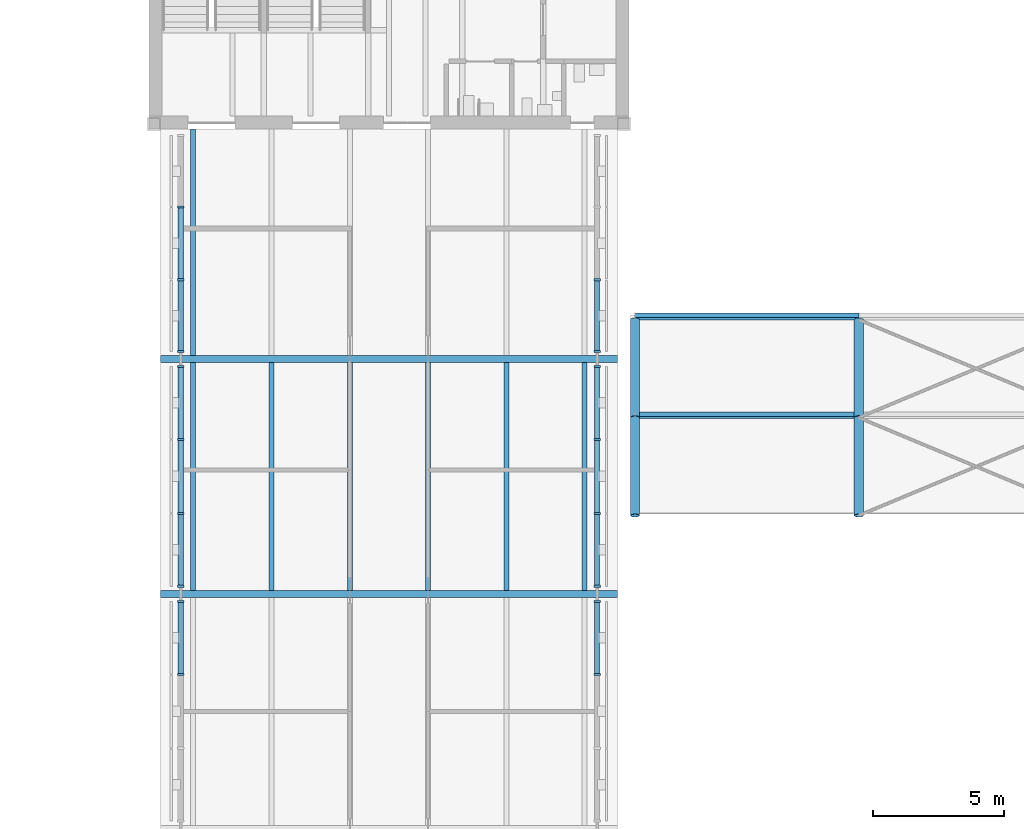
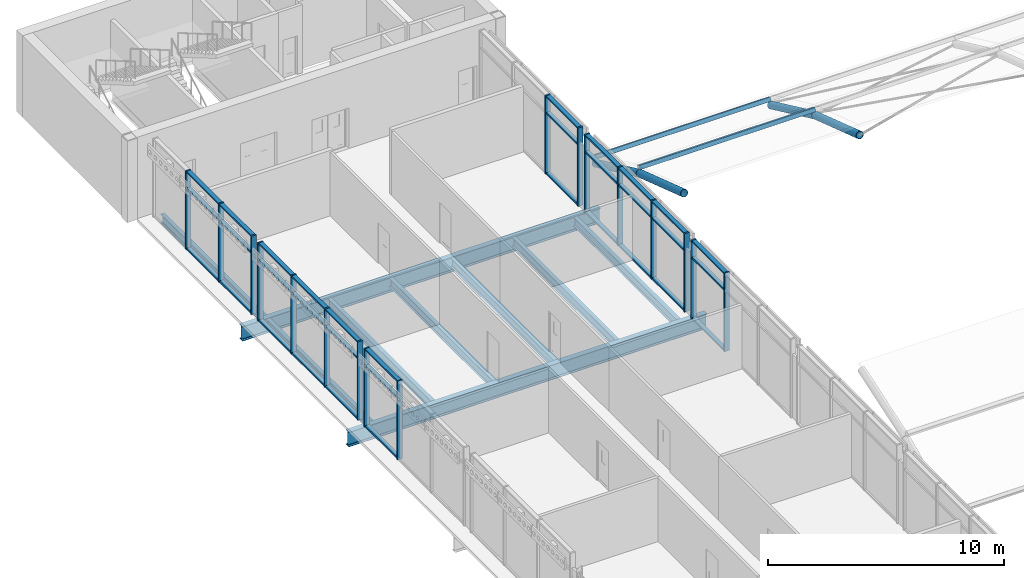
# One storey, part 6 of 54: 56 members, 9 beams, 6 elements without a shape of their own.
"""IFC4 building model written with IfcOpenShell, lengths in metres."""

from ifc_helpers import new_model, si_unit, direction, frame, origin, origin_2d, place, context, subcontext, project, spatial, rectangle, hollow_rectangle, hollow_circle, i_section, extrude, material, material_profile, profile_set, type_object, element, aggregate, save


model = new_model("IFC4")

# Units and contexts
model_context = context("Model", 3, precision=1e-05, world=origin(), true_north=direction((0.0, 1.0)))
body_context = subcontext(model_context, "Body", "Model", "MODEL_VIEW")
ifc_project = project(units=[si_unit("LENGTHUNIT", "METRE"), si_unit("AREAUNIT", "SQUARE_METRE"), si_unit("VOLUMEUNIT", "CUBIC_METRE"), si_unit("PLANEANGLEUNIT", "RADIAN"), si_unit("MASSUNIT", "GRAM", prefix="KILO")], contexts=[model_context])

# Site, building, storey
site_placement = place(None, origin())
site = spatial("IfcSite", under=ifc_project, at=site_placement, CompositionType="ELEMENT")
building_placement = place(site_placement, origin())
building = spatial("IfcBuilding", under=site, at=building_placement, Name="Baradari Gate Terminus", CompositionType="ELEMENT")
storey_placement = place(building_placement, frame((0.0, 0.0, 15.89990234375)))
storey = spatial("IfcBuildingStorey", under=building, at=storey_placement, Name="L03", CompositionType="ELEMENT", Elevation=15.89990234375)

# Curtain wall, members
ifc_material_1 = material(Name="Aluminium 6063-T6", Category="aluminium")
curtain_wall_type = type_object("IfcCurtainWallType", Name="Curtain wall CW-3 gate face, office floors", PredefinedType="NOTDEFINED", material=ifc_material_1)
curtain_wall_1_placement = place(storey_placement, origin())
curtain_wall_1 = element("IfcCurtainWall", 1, at=curtain_wall_1_placement, inside=storey, type_object=curtain_wall_type, Name="Curtain wall CW-3 gate west face L03 bay 3", PredefinedType="NOTDEFINED")
ifc_material_2 = material(Name="Aluminium 6063-T6", Category="aluminium")
ifc_material_profile_1 = material_profile(ifc_material_2, rectangle(XDim=0.25, YDim=0.080078125, at=origin_2d()), Name="CM-3 80X250")
ifc_profile_set_1 = profile_set([ifc_material_profile_1], Name="Aluminium 6063-T6")
member_type_1 = type_object("IfcMemberType", Name="Curtain wall mullion CM-3 80x250", PredefinedType="MULLION", material=ifc_profile_set_1)
member_1_placement = place(storey_placement, frame((73.02490234375, 59.916748046875, 0.0), z_axis=(0.0, 0.0, 1.0), x_axis=(-1.0, 0.0, 0.0)))
member_1 = element("IfcMember", 2, at=member_1_placement, type_object=member_type_1, Name="CW-3 mullion 3", PredefinedType="MULLION", context=body_context, shape_type="SweptSolid", body=[
    extrude(rectangle(XDim=0.25, YDim=0.080078125, at=origin_2d()), origin(), (0.0, 0.0, 1.0), 4.050048828125),
])
member_2_placement = place(storey_placement, frame((73.02490234375, 62.7099609375, 0.0), z_axis=(0.0, 0.0, 1.0), x_axis=(-1.0, 0.0, 0.0)))
member_2 = element("IfcMember", 3, at=member_2_placement, type_object=member_type_1, Name="CW-3 mullion 4", PredefinedType="MULLION", context=body_context, shape_type="SweptSolid", body=[
    extrude(rectangle(XDim=0.25, YDim=0.080078125, at=origin_2d()), origin(), (0.0, 0.0, 1.0), 4.050048828125),
])

curtain_wall_2_placement = place(storey_placement, origin())
curtain_wall_2 = element("IfcCurtainWall", 4, at=curtain_wall_2_placement, inside=storey, type_object=curtain_wall_type, Name="Curtain wall CW-3 gate west face L03 bay 4", PredefinedType="NOTDEFINED")
member_3_placement = place(storey_placement, frame((73.02490234375, 63.2900390625, 0.0), z_axis=(0.0, 0.0, 1.0), x_axis=(-1.0, 0.0, 0.0)))
member_3 = element("IfcMember", 5, at=member_3_placement, type_object=member_type_1, Name="CW-3 mullion 1", PredefinedType="MULLION", context=body_context, shape_type="SweptSolid", body=[
    extrude(rectangle(XDim=0.25, YDim=0.080078125, at=origin_2d()), origin(), (0.0, 0.0, 1.0), 4.050048828125),
])
member_4_placement = place(storey_placement, frame((73.02490234375, 66.083251953125, 0.0), z_axis=(0.0, 0.0, 1.0), x_axis=(-1.0, 0.0, 0.0)))
member_4 = element("IfcMember", 6, at=member_4_placement, type_object=member_type_1, Name="CW-3 mullion 2", PredefinedType="MULLION", context=body_context, shape_type="SweptSolid", body=[
    extrude(rectangle(XDim=0.25, YDim=0.080078125, at=origin_2d()), origin(), (0.0, 0.0, 1.0), 4.050048828125),
])
member_5_placement = place(storey_placement, frame((73.02490234375, 68.916748046875, 0.0), z_axis=(0.0, 0.0, 1.0), x_axis=(-1.0, 0.0, 0.0)))
member_5 = element("IfcMember", 7, at=member_5_placement, type_object=member_type_1, Name="CW-3 mullion 3", PredefinedType="MULLION", context=body_context, shape_type="SweptSolid", body=[
    extrude(rectangle(XDim=0.25, YDim=0.080078125, at=origin_2d()), origin(), (0.0, 0.0, 1.0), 4.050048828125),
])
member_6_placement = place(storey_placement, frame((73.02490234375, 71.7099609375, 0.0), z_axis=(0.0, 0.0, 1.0), x_axis=(-1.0, 0.0, 0.0)))
member_6 = element("IfcMember", 8, at=member_6_placement, type_object=member_type_1, Name="CW-3 mullion 4", PredefinedType="MULLION", context=body_context, shape_type="SweptSolid", body=[
    extrude(rectangle(XDim=0.25, YDim=0.080078125, at=origin_2d()), origin(), (0.0, 0.0, 1.0), 4.050048828125),
])

curtain_wall_3_placement = place(storey_placement, origin())
curtain_wall_3 = element("IfcCurtainWall", 9, at=curtain_wall_3_placement, inside=storey, type_object=curtain_wall_type, Name="Curtain wall CW-3 gate west face L03 bay 5", PredefinedType="NOTDEFINED")
member_7_placement = place(storey_placement, frame((73.02490234375, 72.2900390625, 0.0), z_axis=(0.0, 0.0, 1.0), x_axis=(-1.0, 0.0, 0.0)))
member_7 = element("IfcMember", 10, at=member_7_placement, type_object=member_type_1, Name="CW-3 mullion 1", PredefinedType="MULLION", context=body_context, shape_type="SweptSolid", body=[
    extrude(rectangle(XDim=0.25, YDim=0.080078125, at=origin_2d()), origin(), (0.0, 0.0, 1.0), 4.050048828125),
])
member_8_placement = place(storey_placement, frame((73.02490234375, 75.033447265625, 0.0), z_axis=(0.0, 0.0, 1.0), x_axis=(-1.0, 0.0, 0.0)))
member_8 = element("IfcMember", 11, at=member_8_placement, type_object=member_type_1, Name="CW-3 mullion 2", PredefinedType="MULLION", context=body_context, shape_type="SweptSolid", body=[
    extrude(rectangle(XDim=0.25, YDim=0.080078125, at=origin_2d()), origin(), (0.0, 0.0, 1.0), 4.050048828125),
])
member_9_placement = place(storey_placement, frame((73.02490234375, 77.816650390625, 0.0), z_axis=(0.0, 0.0, 1.0), x_axis=(-1.0, 0.0, 0.0)))
member_9 = element("IfcMember", 12, at=member_9_placement, type_object=member_type_1, Name="CW-3 mullion 3", PredefinedType="MULLION", context=body_context, shape_type="SweptSolid", body=[
    extrude(rectangle(XDim=0.25, YDim=0.080078125, at=origin_2d()), origin(), (0.0, 0.0, 1.0), 4.050048828125),
])

curtain_wall_4_placement = place(storey_placement, origin())
curtain_wall_4 = element("IfcCurtainWall", 13, at=curtain_wall_4_placement, inside=storey, type_object=curtain_wall_type, Name="Curtain wall CW-3 gate east face L03 bay 3", PredefinedType="NOTDEFINED")
member_10_placement = place(storey_placement, frame((88.97509765625, 59.916748046875, 0.0), z_axis=(0.0, 0.0, 1.0), x_axis=(-1.0, 0.0, 0.0)))
member_10 = element("IfcMember", 14, at=member_10_placement, type_object=member_type_1, Name="CW-3 mullion 3", PredefinedType="MULLION", context=body_context, shape_type="SweptSolid", body=[
    extrude(rectangle(XDim=0.25, YDim=0.080078125, at=origin_2d()), origin(), (0.0, 0.0, 1.0), 4.050048828125),
])
member_11_placement = place(storey_placement, frame((88.97509765625, 62.7099609375, 0.0), z_axis=(0.0, 0.0, 1.0), x_axis=(-1.0, 0.0, 0.0)))
member_11 = element("IfcMember", 15, at=member_11_placement, type_object=member_type_1, Name="CW-3 mullion 4", PredefinedType="MULLION", context=body_context, shape_type="SweptSolid", body=[
    extrude(rectangle(XDim=0.25, YDim=0.080078125, at=origin_2d()), origin(), (0.0, 0.0, 1.0), 4.050048828125),
])

curtain_wall_5_placement = place(storey_placement, origin())
curtain_wall_5 = element("IfcCurtainWall", 16, at=curtain_wall_5_placement, inside=storey, type_object=curtain_wall_type, Name="Curtain wall CW-3 gate east face L03 bay 4", PredefinedType="NOTDEFINED")
member_12_placement = place(storey_placement, frame((88.97509765625, 63.2900390625, 0.0), z_axis=(0.0, 0.0, 1.0), x_axis=(-1.0, 0.0, 0.0)))
member_12 = element("IfcMember", 17, at=member_12_placement, type_object=member_type_1, Name="CW-3 mullion 1", PredefinedType="MULLION", context=body_context, shape_type="SweptSolid", body=[
    extrude(rectangle(XDim=0.25, YDim=0.080078125, at=origin_2d()), origin(), (0.0, 0.0, 1.0), 4.050048828125),
])
member_13_placement = place(storey_placement, frame((88.97509765625, 66.083251953125, 0.0), z_axis=(0.0, 0.0, 1.0), x_axis=(-1.0, 0.0, 0.0)))
member_13 = element("IfcMember", 18, at=member_13_placement, type_object=member_type_1, Name="CW-3 mullion 2", PredefinedType="MULLION", context=body_context, shape_type="SweptSolid", body=[
    extrude(rectangle(XDim=0.25, YDim=0.080078125, at=origin_2d()), origin(), (0.0, 0.0, 1.0), 4.050048828125),
])
member_14_placement = place(storey_placement, frame((88.97509765625, 68.916748046875, 0.0), z_axis=(0.0, 0.0, 1.0), x_axis=(-1.0, 0.0, 0.0)))
member_14 = element("IfcMember", 19, at=member_14_placement, type_object=member_type_1, Name="CW-3 mullion 3", PredefinedType="MULLION", context=body_context, shape_type="SweptSolid", body=[
    extrude(rectangle(XDim=0.25, YDim=0.080078125, at=origin_2d()), origin(), (0.0, 0.0, 1.0), 4.050048828125),
])
member_15_placement = place(storey_placement, frame((88.97509765625, 71.7099609375, 0.0), z_axis=(0.0, 0.0, 1.0), x_axis=(-1.0, 0.0, 0.0)))
member_15 = element("IfcMember", 20, at=member_15_placement, type_object=member_type_1, Name="CW-3 mullion 4", PredefinedType="MULLION", context=body_context, shape_type="SweptSolid", body=[
    extrude(rectangle(XDim=0.25, YDim=0.080078125, at=origin_2d()), origin(), (0.0, 0.0, 1.0), 4.050048828125),
])

curtain_wall_6_placement = place(storey_placement, origin())
curtain_wall_6 = element("IfcCurtainWall", 21, at=curtain_wall_6_placement, inside=storey, type_object=curtain_wall_type, Name="Curtain wall CW-3 gate east face L03 bay 5", PredefinedType="NOTDEFINED")
member_16_placement = place(storey_placement, frame((88.97509765625, 72.2900390625, 0.0), z_axis=(0.0, 0.0, 1.0), x_axis=(-1.0, 0.0, 0.0)))
member_16 = element("IfcMember", 22, at=member_16_placement, type_object=member_type_1, Name="CW-3 mullion 1", PredefinedType="MULLION", context=body_context, shape_type="SweptSolid", body=[
    extrude(rectangle(XDim=0.25, YDim=0.080078125, at=origin_2d()), origin(), (0.0, 0.0, 1.0), 4.050048828125),
])
member_17_placement = place(storey_placement, frame((88.97509765625, 75.033447265625, 0.0), z_axis=(0.0, 0.0, 1.0), x_axis=(-1.0, 0.0, 0.0)))
member_17 = element("IfcMember", 23, at=member_17_placement, type_object=member_type_1, Name="CW-3 mullion 2", PredefinedType="MULLION", context=body_context, shape_type="SweptSolid", body=[
    extrude(rectangle(XDim=0.25, YDim=0.080078125, at=origin_2d()), origin(), (0.0, 0.0, 1.0), 4.050048828125),
])

# Member
ifc_material_3 = material(Name="Aluminium 6063-T6", Category="aluminium")
ifc_material_profile_2 = material_profile(ifc_material_3, rectangle(XDim=0.199951171875, YDim=0.080078125, at=origin_2d()), Name="CT-3 80X200")
ifc_profile_set_2 = profile_set([ifc_material_profile_2], Name="Aluminium 6063-T6")
member_type_2 = type_object("IfcMemberType", Name="Curtain wall transom CT-3 80x200", PredefinedType="USERDEFINED", material=ifc_profile_set_2)
member_18_placement = place(storey_placement, frame((73.02490234375, 59.956787109375, 0.0400390625), z_axis=(0.0, 1.0, 0.0), x_axis=(-1.0, 0.0, 0.0)))
member_18 = element("IfcMember", 24, at=member_18_placement, type_object=member_type_2, Name="CW-3 transom 3.1", ObjectType="TRANSOM", PredefinedType="USERDEFINED", context=body_context, shape_type="SweptSolid", body=[
    extrude(rectangle(XDim=0.199951171875, YDim=0.080078125, at=origin_2d()), origin(), (0.0, 0.0, 1.0), 2.713134765625),
])

member_19_placement = place(storey_placement, frame((73.02490234375, 59.956787109375, 3.150146484375), z_axis=(0.0, 1.0, 0.0), x_axis=(-1.0, 0.0, 0.0)))
member_19 = element("IfcMember", 25, at=member_19_placement, type_object=member_type_2, Name="CW-3 transom 3.2", ObjectType="TRANSOM", PredefinedType="USERDEFINED", context=body_context, shape_type="SweptSolid", body=[
    extrude(rectangle(XDim=0.199951171875, YDim=0.080078125, at=origin_2d()), origin(), (0.0, 0.0, 1.0), 2.713134765625),
])

member_20_placement = place(storey_placement, frame((73.02490234375, 59.956787109375, 4.010009765625), z_axis=(0.0, 1.0, 0.0), x_axis=(-1.0, 0.0, 0.0)))
member_20 = element("IfcMember", 26, at=member_20_placement, type_object=member_type_2, Name="CW-3 transom 3.3", ObjectType="TRANSOM", PredefinedType="USERDEFINED", context=body_context, shape_type="SweptSolid", body=[
    extrude(rectangle(XDim=0.199951171875, YDim=0.080078125, at=origin_2d()), origin(), (0.0, 0.0, 1.0), 2.713134765625),
])

aggregate(curtain_wall_1, [member_1, member_2, member_18, member_19, member_20])

member_21_placement = place(storey_placement, frame((73.02490234375, 63.330078125, 0.0400390625), z_axis=(0.0, 1.0, 0.0), x_axis=(-1.0, 0.0, 0.0)))
member_21 = element("IfcMember", 27, at=member_21_placement, type_object=member_type_2, Name="CW-3 transom 1.1", ObjectType="TRANSOM", PredefinedType="USERDEFINED", context=body_context, shape_type="SweptSolid", body=[
    extrude(rectangle(XDim=0.199951171875, YDim=0.080078125, at=origin_2d()), origin(), (0.0, 0.0, 1.0), 2.713134765625),
])

member_22_placement = place(storey_placement, frame((73.02490234375, 63.330078125, 3.150146484375), z_axis=(0.0, 1.0, 0.0), x_axis=(-1.0, 0.0, 0.0)))
member_22 = element("IfcMember", 28, at=member_22_placement, type_object=member_type_2, Name="CW-3 transom 1.2", ObjectType="TRANSOM", PredefinedType="USERDEFINED", context=body_context, shape_type="SweptSolid", body=[
    extrude(rectangle(XDim=0.199951171875, YDim=0.080078125, at=origin_2d()), origin(), (0.0, 0.0, 1.0), 2.713134765625),
])

member_23_placement = place(storey_placement, frame((73.02490234375, 63.330078125, 4.010009765625), z_axis=(0.0, 1.0, 0.0), x_axis=(-1.0, 0.0, 0.0)))
member_23 = element("IfcMember", 29, at=member_23_placement, type_object=member_type_2, Name="CW-3 transom 1.3", ObjectType="TRANSOM", PredefinedType="USERDEFINED", context=body_context, shape_type="SweptSolid", body=[
    extrude(rectangle(XDim=0.199951171875, YDim=0.080078125, at=origin_2d()), origin(), (0.0, 0.0, 1.0), 2.713134765625),
])

member_24_placement = place(storey_placement, frame((73.02490234375, 66.123291015625, 0.0400390625), z_axis=(0.0, 1.0, 0.0), x_axis=(-1.0, 0.0, 0.0)))
member_24 = element("IfcMember", 30, at=member_24_placement, type_object=member_type_2, Name="CW-3 transom 2.1", ObjectType="TRANSOM", PredefinedType="USERDEFINED", context=body_context, shape_type="SweptSolid", body=[
    extrude(rectangle(XDim=0.199951171875, YDim=0.080078125, at=origin_2d()), origin(), (0.0, 0.0, 1.0), 2.75341796875),
])

member_25_placement = place(storey_placement, frame((73.02490234375, 66.123291015625, 3.150146484375), z_axis=(0.0, 1.0, 0.0), x_axis=(-1.0, 0.0, 0.0)))
member_25 = element("IfcMember", 31, at=member_25_placement, type_object=member_type_2, Name="CW-3 transom 2.2", ObjectType="TRANSOM", PredefinedType="USERDEFINED", context=body_context, shape_type="SweptSolid", body=[
    extrude(rectangle(XDim=0.199951171875, YDim=0.080078125, at=origin_2d()), origin(), (0.0, 0.0, 1.0), 2.75341796875),
])

member_26_placement = place(storey_placement, frame((73.02490234375, 66.123291015625, 4.010009765625), z_axis=(0.0, 1.0, 0.0), x_axis=(-1.0, 0.0, 0.0)))
member_26 = element("IfcMember", 32, at=member_26_placement, type_object=member_type_2, Name="CW-3 transom 2.3", ObjectType="TRANSOM", PredefinedType="USERDEFINED", context=body_context, shape_type="SweptSolid", body=[
    extrude(rectangle(XDim=0.199951171875, YDim=0.080078125, at=origin_2d()), origin(), (0.0, 0.0, 1.0), 2.75341796875),
])

member_27_placement = place(storey_placement, frame((73.02490234375, 68.956787109375, 0.0400390625), z_axis=(0.0, 1.0, 0.0), x_axis=(-1.0, 0.0, 0.0)))
member_27 = element("IfcMember", 33, at=member_27_placement, type_object=member_type_2, Name="CW-3 transom 3.1", ObjectType="TRANSOM", PredefinedType="USERDEFINED", context=body_context, shape_type="SweptSolid", body=[
    extrude(rectangle(XDim=0.199951171875, YDim=0.080078125, at=origin_2d()), origin(), (0.0, 0.0, 1.0), 2.713134765625),
])

member_28_placement = place(storey_placement, frame((73.02490234375, 68.956787109375, 3.150146484375), z_axis=(0.0, 1.0, 0.0), x_axis=(-1.0, 0.0, 0.0)))
member_28 = element("IfcMember", 34, at=member_28_placement, type_object=member_type_2, Name="CW-3 transom 3.2", ObjectType="TRANSOM", PredefinedType="USERDEFINED", context=body_context, shape_type="SweptSolid", body=[
    extrude(rectangle(XDim=0.199951171875, YDim=0.080078125, at=origin_2d()), origin(), (0.0, 0.0, 1.0), 2.713134765625),
])

member_29_placement = place(storey_placement, frame((73.02490234375, 68.956787109375, 4.010009765625), z_axis=(0.0, 1.0, 0.0), x_axis=(-1.0, 0.0, 0.0)))
member_29 = element("IfcMember", 35, at=member_29_placement, type_object=member_type_2, Name="CW-3 transom 3.3", ObjectType="TRANSOM", PredefinedType="USERDEFINED", context=body_context, shape_type="SweptSolid", body=[
    extrude(rectangle(XDim=0.199951171875, YDim=0.080078125, at=origin_2d()), origin(), (0.0, 0.0, 1.0), 2.713134765625),
])

aggregate(curtain_wall_2, [member_3, member_4, member_5, member_6, member_21, member_22, member_23, member_24, member_25, member_26, member_27, member_28, member_29])

member_30_placement = place(storey_placement, frame((73.02490234375, 72.330078125, 0.0400390625), z_axis=(0.0, 1.0, 0.0), x_axis=(-1.0, 0.0, 0.0)))
member_30 = element("IfcMember", 36, at=member_30_placement, type_object=member_type_2, Name="CW-3 transom 1.1", ObjectType="TRANSOM", PredefinedType="USERDEFINED", context=body_context, shape_type="SweptSolid", body=[
    extrude(rectangle(XDim=0.199951171875, YDim=0.080078125, at=origin_2d()), origin(), (0.0, 0.0, 1.0), 2.663330078125),
])

member_31_placement = place(storey_placement, frame((73.02490234375, 72.330078125, 3.150146484375), z_axis=(0.0, 1.0, 0.0), x_axis=(-1.0, 0.0, 0.0)))
member_31 = element("IfcMember", 37, at=member_31_placement, type_object=member_type_2, Name="CW-3 transom 1.2", ObjectType="TRANSOM", PredefinedType="USERDEFINED", context=body_context, shape_type="SweptSolid", body=[
    extrude(rectangle(XDim=0.199951171875, YDim=0.080078125, at=origin_2d()), origin(), (0.0, 0.0, 1.0), 2.663330078125),
])

member_32_placement = place(storey_placement, frame((73.02490234375, 72.330078125, 4.010009765625), z_axis=(0.0, 1.0, 0.0), x_axis=(-1.0, 0.0, 0.0)))
member_32 = element("IfcMember", 38, at=member_32_placement, type_object=member_type_2, Name="CW-3 transom 1.3", ObjectType="TRANSOM", PredefinedType="USERDEFINED", context=body_context, shape_type="SweptSolid", body=[
    extrude(rectangle(XDim=0.199951171875, YDim=0.080078125, at=origin_2d()), origin(), (0.0, 0.0, 1.0), 2.663330078125),
])

member_33_placement = place(storey_placement, frame((73.02490234375, 75.0732421875, 0.0400390625), z_axis=(0.0, 1.0, 0.0), x_axis=(-1.0, 0.0, 0.0)))
member_33 = element("IfcMember", 39, at=member_33_placement, type_object=member_type_2, Name="CW-3 transom 2.1", ObjectType="TRANSOM", PredefinedType="USERDEFINED", context=body_context, shape_type="SweptSolid", body=[
    extrude(rectangle(XDim=0.199951171875, YDim=0.080078125, at=origin_2d()), origin(), (0.0, 0.0, 1.0), 2.703369140625),
])

member_34_placement = place(storey_placement, frame((73.02490234375, 75.0732421875, 3.150146484375), z_axis=(0.0, 1.0, 0.0), x_axis=(-1.0, 0.0, 0.0)))
member_34 = element("IfcMember", 40, at=member_34_placement, type_object=member_type_2, Name="CW-3 transom 2.2", ObjectType="TRANSOM", PredefinedType="USERDEFINED", context=body_context, shape_type="SweptSolid", body=[
    extrude(rectangle(XDim=0.199951171875, YDim=0.080078125, at=origin_2d()), origin(), (0.0, 0.0, 1.0), 2.703369140625),
])

member_35_placement = place(storey_placement, frame((73.02490234375, 75.0732421875, 4.010009765625), z_axis=(0.0, 1.0, 0.0), x_axis=(-1.0, 0.0, 0.0)))
member_35 = element("IfcMember", 41, at=member_35_placement, type_object=member_type_2, Name="CW-3 transom 2.3", ObjectType="TRANSOM", PredefinedType="USERDEFINED", context=body_context, shape_type="SweptSolid", body=[
    extrude(rectangle(XDim=0.199951171875, YDim=0.080078125, at=origin_2d()), origin(), (0.0, 0.0, 1.0), 2.703369140625),
])

aggregate(curtain_wall_3, [member_7, member_8, member_9, member_30, member_31, member_32, member_33, member_34, member_35])

member_36_placement = place(storey_placement, frame((88.97509765625, 59.956787109375, 0.0400390625), z_axis=(0.0, 1.0, 0.0), x_axis=(-1.0, 0.0, 0.0)))
member_36 = element("IfcMember", 42, at=member_36_placement, type_object=member_type_2, Name="CW-3 transom 3.1", ObjectType="TRANSOM", PredefinedType="USERDEFINED", context=body_context, shape_type="SweptSolid", body=[
    extrude(rectangle(XDim=0.199951171875, YDim=0.080078125, at=origin_2d()), origin(), (0.0, 0.0, 1.0), 2.713134765625),
])

member_37_placement = place(storey_placement, frame((88.97509765625, 59.956787109375, 3.150146484375), z_axis=(0.0, 1.0, 0.0), x_axis=(-1.0, 0.0, 0.0)))
member_37 = element("IfcMember", 43, at=member_37_placement, type_object=member_type_2, Name="CW-3 transom 3.2", ObjectType="TRANSOM", PredefinedType="USERDEFINED", context=body_context, shape_type="SweptSolid", body=[
    extrude(rectangle(XDim=0.199951171875, YDim=0.080078125, at=origin_2d()), origin(), (0.0, 0.0, 1.0), 2.713134765625),
])

member_38_placement = place(storey_placement, frame((88.97509765625, 59.956787109375, 4.010009765625), z_axis=(0.0, 1.0, 0.0), x_axis=(-1.0, 0.0, 0.0)))
member_38 = element("IfcMember", 44, at=member_38_placement, type_object=member_type_2, Name="CW-3 transom 3.3", ObjectType="TRANSOM", PredefinedType="USERDEFINED", context=body_context, shape_type="SweptSolid", body=[
    extrude(rectangle(XDim=0.199951171875, YDim=0.080078125, at=origin_2d()), origin(), (0.0, 0.0, 1.0), 2.713134765625),
])

aggregate(curtain_wall_4, [member_10, member_11, member_36, member_37, member_38])

member_39_placement = place(storey_placement, frame((88.97509765625, 63.330078125, 0.0400390625), z_axis=(0.0, 1.0, 0.0), x_axis=(-1.0, 0.0, 0.0)))
member_39 = element("IfcMember", 45, at=member_39_placement, type_object=member_type_2, Name="CW-3 transom 1.1", ObjectType="TRANSOM", PredefinedType="USERDEFINED", context=body_context, shape_type="SweptSolid", body=[
    extrude(rectangle(XDim=0.199951171875, YDim=0.080078125, at=origin_2d()), origin(), (0.0, 0.0, 1.0), 2.713134765625),
])

member_40_placement = place(storey_placement, frame((88.97509765625, 63.330078125, 3.150146484375), z_axis=(0.0, 1.0, 0.0), x_axis=(-1.0, 0.0, 0.0)))
member_40 = element("IfcMember", 46, at=member_40_placement, type_object=member_type_2, Name="CW-3 transom 1.2", ObjectType="TRANSOM", PredefinedType="USERDEFINED", context=body_context, shape_type="SweptSolid", body=[
    extrude(rectangle(XDim=0.199951171875, YDim=0.080078125, at=origin_2d()), origin(), (0.0, 0.0, 1.0), 2.713134765625),
])

member_41_placement = place(storey_placement, frame((88.97509765625, 63.330078125, 4.010009765625), z_axis=(0.0, 1.0, 0.0), x_axis=(-1.0, 0.0, 0.0)))
member_41 = element("IfcMember", 47, at=member_41_placement, type_object=member_type_2, Name="CW-3 transom 1.3", ObjectType="TRANSOM", PredefinedType="USERDEFINED", context=body_context, shape_type="SweptSolid", body=[
    extrude(rectangle(XDim=0.199951171875, YDim=0.080078125, at=origin_2d()), origin(), (0.0, 0.0, 1.0), 2.713134765625),
])

member_42_placement = place(storey_placement, frame((88.97509765625, 66.123291015625, 0.0400390625), z_axis=(0.0, 1.0, 0.0), x_axis=(-1.0, 0.0, 0.0)))
member_42 = element("IfcMember", 48, at=member_42_placement, type_object=member_type_2, Name="CW-3 transom 2.1", ObjectType="TRANSOM", PredefinedType="USERDEFINED", context=body_context, shape_type="SweptSolid", body=[
    extrude(rectangle(XDim=0.199951171875, YDim=0.080078125, at=origin_2d()), origin(), (0.0, 0.0, 1.0), 2.75341796875),
])

member_43_placement = place(storey_placement, frame((88.97509765625, 66.123291015625, 3.150146484375), z_axis=(0.0, 1.0, 0.0), x_axis=(-1.0, 0.0, 0.0)))
member_43 = element("IfcMember", 49, at=member_43_placement, type_object=member_type_2, Name="CW-3 transom 2.2", ObjectType="TRANSOM", PredefinedType="USERDEFINED", context=body_context, shape_type="SweptSolid", body=[
    extrude(rectangle(XDim=0.199951171875, YDim=0.080078125, at=origin_2d()), origin(), (0.0, 0.0, 1.0), 2.75341796875),
])

member_44_placement = place(storey_placement, frame((88.97509765625, 66.123291015625, 4.010009765625), z_axis=(0.0, 1.0, 0.0), x_axis=(-1.0, 0.0, 0.0)))
member_44 = element("IfcMember", 50, at=member_44_placement, type_object=member_type_2, Name="CW-3 transom 2.3", ObjectType="TRANSOM", PredefinedType="USERDEFINED", context=body_context, shape_type="SweptSolid", body=[
    extrude(rectangle(XDim=0.199951171875, YDim=0.080078125, at=origin_2d()), origin(), (0.0, 0.0, 1.0), 2.75341796875),
])

member_45_placement = place(storey_placement, frame((88.97509765625, 68.956787109375, 0.0400390625), z_axis=(0.0, 1.0, 0.0), x_axis=(-1.0, 0.0, 0.0)))
member_45 = element("IfcMember", 51, at=member_45_placement, type_object=member_type_2, Name="CW-3 transom 3.1", ObjectType="TRANSOM", PredefinedType="USERDEFINED", context=body_context, shape_type="SweptSolid", body=[
    extrude(rectangle(XDim=0.199951171875, YDim=0.080078125, at=origin_2d()), origin(), (0.0, 0.0, 1.0), 2.713134765625),
])

member_46_placement = place(storey_placement, frame((88.97509765625, 68.956787109375, 3.150146484375), z_axis=(0.0, 1.0, 0.0), x_axis=(-1.0, 0.0, 0.0)))
member_46 = element("IfcMember", 52, at=member_46_placement, type_object=member_type_2, Name="CW-3 transom 3.2", ObjectType="TRANSOM", PredefinedType="USERDEFINED", context=body_context, shape_type="SweptSolid", body=[
    extrude(rectangle(XDim=0.199951171875, YDim=0.080078125, at=origin_2d()), origin(), (0.0, 0.0, 1.0), 2.713134765625),
])

member_47_placement = place(storey_placement, frame((88.97509765625, 68.956787109375, 4.010009765625), z_axis=(0.0, 1.0, 0.0), x_axis=(-1.0, 0.0, 0.0)))
member_47 = element("IfcMember", 53, at=member_47_placement, type_object=member_type_2, Name="CW-3 transom 3.3", ObjectType="TRANSOM", PredefinedType="USERDEFINED", context=body_context, shape_type="SweptSolid", body=[
    extrude(rectangle(XDim=0.199951171875, YDim=0.080078125, at=origin_2d()), origin(), (0.0, 0.0, 1.0), 2.713134765625),
])

aggregate(curtain_wall_5, [member_12, member_13, member_14, member_15, member_39, member_40, member_41, member_42, member_43, member_44, member_45, member_46, member_47])

member_48_placement = place(storey_placement, frame((88.97509765625, 72.330078125, 0.0400390625), z_axis=(0.0, 1.0, 0.0), x_axis=(-1.0, 0.0, 0.0)))
member_48 = element("IfcMember", 54, at=member_48_placement, type_object=member_type_2, Name="CW-3 transom 1.1", ObjectType="TRANSOM", PredefinedType="USERDEFINED", context=body_context, shape_type="SweptSolid", body=[
    extrude(rectangle(XDim=0.199951171875, YDim=0.080078125, at=origin_2d()), origin(), (0.0, 0.0, 1.0), 2.663330078125),
])

member_49_placement = place(storey_placement, frame((88.97509765625, 72.330078125, 3.150146484375), z_axis=(0.0, 1.0, 0.0), x_axis=(-1.0, 0.0, 0.0)))
member_49 = element("IfcMember", 55, at=member_49_placement, type_object=member_type_2, Name="CW-3 transom 1.2", ObjectType="TRANSOM", PredefinedType="USERDEFINED", context=body_context, shape_type="SweptSolid", body=[
    extrude(rectangle(XDim=0.199951171875, YDim=0.080078125, at=origin_2d()), origin(), (0.0, 0.0, 1.0), 2.663330078125),
])

member_50_placement = place(storey_placement, frame((88.97509765625, 72.330078125, 4.010009765625), z_axis=(0.0, 1.0, 0.0), x_axis=(-1.0, 0.0, 0.0)))
member_50 = element("IfcMember", 56, at=member_50_placement, type_object=member_type_2, Name="CW-3 transom 1.3", ObjectType="TRANSOM", PredefinedType="USERDEFINED", context=body_context, shape_type="SweptSolid", body=[
    extrude(rectangle(XDim=0.199951171875, YDim=0.080078125, at=origin_2d()), origin(), (0.0, 0.0, 1.0), 2.663330078125),
])

aggregate(curtain_wall_6, [member_16, member_17, member_48, member_49, member_50])

# Beams
ifc_material_4 = material(Name="Steel S355", Category="steel")
ifc_material_profile_3 = material_profile(ifc_material_4, i_section(OverallWidth=0.2666015625, OverallDepth=0.76220703125, WebThickness=0.014404296875, FlangeThickness=0.021484375, FilletRadius=0.0166015625, at=origin_2d()), Name="UB 762x267x173")
ifc_profile_set_3 = profile_set([ifc_material_profile_3], Name="Steel S355")
beam_type_1 = type_object("IfcBeamType", Name="Gate girder B30 UB 762x267x173", PredefinedType="BEAM", material=ifc_profile_set_3)
for number, where, z_axis, x_axis, name in (
    (57, (72.25, 63.0, -0.531005859375), (1.0, 0.0, 0.0), (0.0, 1.0, 0.0), "Gate girder B30 H:72.25-89.75 L03"),
    (58, (72.25, 72.0, -0.531005859375), (1.0, 0.0, 0.0), (0.0, 1.0, 0.0), "Gate girder B30 J:72.25-89.75 L03"),
):
    element("IfcBeam", number, at=place(storey_placement, frame(where, z_axis=z_axis, x_axis=x_axis)), inside=storey, type_object=beam_type_1, Name=name, PredefinedType="BEAM", context=body_context, shape_type="SweptSolid", body=[
        extrude(i_section(OverallWidth=0.2666015625, OverallDepth=0.76220703125, WebThickness=0.014404296875, FlangeThickness=0.021484375, FilletRadius=0.0166015625, at=origin_2d()), origin(), (0.0, 0.0, 1.0), 17.5),
    ])
ifc_material_5 = material(Name="Steel S355", Category="steel")
ifc_material_profile_4 = material_profile(ifc_material_5, i_section(OverallWidth=0.19140625, OverallDepth=0.4599609375, WebThickness=0.010009765625, FlangeThickness=0.01611328125, FilletRadius=0.01025390625, at=origin_2d()), Name="UB 457x191x82")
ifc_profile_set_4 = profile_set([ifc_material_profile_4], Name="Steel S355")
beam_type_2 = type_object("IfcBeamType", Name="Gate secondary beam B31 UB 457x191x82", PredefinedType="BEAM", material=ifc_profile_set_4)
beam_1_placement = place(storey_placement, frame((73.5, 63.13330078125, -0.3798828125), z_axis=(0.0, 1.0, 0.0), x_axis=(-1.0, 0.0, 0.0)))
element("IfcBeam", 59, at=beam_1_placement, inside=storey, type_object=beam_type_2, Name="Gate secondary beam B31 73.5:63.133-71.867 L03", PredefinedType="BEAM", context=body_context, shape_type="SweptSolid", body=[
    extrude(i_section(OverallWidth=0.19140625, OverallDepth=0.4599609375, WebThickness=0.010009765625, FlangeThickness=0.01611328125, FilletRadius=0.01025390625, at=origin_2d()), origin(), (0.0, 0.0, 1.0), 8.7333984375),
])
beam_2_placement = place(storey_placement, frame((73.5, 72.13330078125, -0.3798828125), z_axis=(0.0, 1.0, 0.0), x_axis=(-1.0, 0.0, 0.0)))
element("IfcBeam", 60, at=beam_2_placement, inside=storey, type_object=beam_type_2, Name="Gate secondary beam B31 73.5:72.133-80.8 L03", PredefinedType="BEAM", context=body_context, shape_type="SweptSolid", body=[
    extrude(i_section(OverallWidth=0.19140625, OverallDepth=0.4599609375, WebThickness=0.010009765625, FlangeThickness=0.01611328125, FilletRadius=0.01025390625, at=origin_2d()), origin(), (0.0, 0.0, 1.0), 8.666748046875),
])
for number, where, z_axis, x_axis, name in (
    (61, (76.5, 63.13330078125, -0.3798828125), (0.0, 1.0, 0.0), (-1.0, 0.0, 0.0), "Gate secondary beam B31 76.5:63.133-71.867 L03"),
    (62, (79.5, 63.13330078125, -0.3798828125), (0.0, 1.0, 0.0), (-1.0, 0.0, 0.0), "Gate secondary beam B31 79.5:63.133-71.867 L03"),
    (63, (82.5, 63.13330078125, -0.3798828125), (0.0, 1.0, 0.0), (-1.0, 0.0, 0.0), "Gate secondary beam B31 82.5:63.133-71.867 L03"),
    (64, (85.5, 63.13330078125, -0.3798828125), (0.0, 1.0, 0.0), (-1.0, 0.0, 0.0), "Gate secondary beam B31 85.5:63.133-71.867 L03"),
    (65, (88.5, 63.13330078125, -0.3798828125), (0.0, 1.0, 0.0), (-1.0, 0.0, 0.0), "Gate secondary beam B31 88.5:63.133-71.867 L03"),
):
    element("IfcBeam", number, at=place(storey_placement, frame(where, z_axis=z_axis, x_axis=x_axis)), inside=storey, type_object=beam_type_2, Name=name, PredefinedType="BEAM", context=body_context, shape_type="SweptSolid", body=[
        extrude(i_section(OverallWidth=0.19140625, OverallDepth=0.4599609375, WebThickness=0.010009765625, FlangeThickness=0.01611328125, FilletRadius=0.01025390625, at=origin_2d()), origin(), (0.0, 0.0, 1.0), 8.7333984375),
    ])

# Members
ifc_material_6 = material(Name="Steel S355", Category="steel")
ifc_material_profile_5 = material_profile(ifc_material_6, hollow_circle(Radius=0.177734375, WallThickness=0.01611328125, at=origin_2d()), Name="CHS 355.6x16")
ifc_profile_set_5 = profile_set([ifc_material_profile_5], Name="Steel S355")
member_type_3 = type_object("IfcMemberType", Name="Shed abutment rail CHS 355.6x16", PredefinedType="CHORD", material=ifc_profile_set_5)
member_51_placement = place(storey_placement, frame((90.427734375, 66.0, 3.9365234375), z_axis=(0.0, 0.948683298051, -0.316227766017), x_axis=(-1.0, 0.0, 0.0)))
element("IfcMember", 66, at=member_51_placement, inside=storey, type_object=member_type_3, Name="TR/L03/LR08", PredefinedType="CHORD", context=body_context, shape_type="SweptSolid", body=[
    extrude(hollow_circle(Radius=0.177734375, WallThickness=0.01611328125, at=origin_2d()), origin(), (0.0, 0.0, 1.0), 3.952880859375),
])
member_52_placement = place(storey_placement, frame((90.427734375, 69.75, 2.6865234375), z_axis=(0.0, 0.906183139995, -0.422885465331), x_axis=(-1.0, 0.0, 0.0)))
element("IfcMember", 67, at=member_52_placement, inside=storey, type_object=member_type_3, Name="TR/L03/LR09", PredefinedType="CHORD", context=body_context, shape_type="SweptSolid", body=[
    extrude(hollow_circle(Radius=0.177734375, WallThickness=0.01611328125, at=origin_2d()), origin(), (0.0, 0.0, 1.0), 4.13818359375),
])
ifc_material_7 = material(Name="Steel S355", Category="steel")
ifc_material_profile_6 = material_profile(ifc_material_7, hollow_rectangle(XDim=0.199951171875, YDim=0.199951171875, WallThickness=0.008056640625, InnerFilletRadius=0.008056640625, OuterFilletRadius=0.01611328125, at=origin_2d()), Name="SHS 200x200x8")
ifc_profile_set_6 = profile_set([ifc_material_profile_6], Name="Steel S355")
member_type_4 = type_object("IfcMemberType", Name="Shed purlin SHS 200x200x8", PredefinedType="PURLIN", material=ifc_profile_set_6)
for number, where, z_axis, x_axis, name in (
    (68, (90.427734375, 69.848388671875, 2.93359375), (1.0, 0.0, 0.0), (0.0, 0.928965199535, -0.370167067759), "TR/L03/B99-PU09"),
    (69, (90.427734375, 73.624755859375, 1.17138671875), (1.0, 0.0, 0.0), (0.0, 0.883026855482, -0.469322461106), "TR/L03/B99-PU10"),
):
    element("IfcMember", number, at=place(storey_placement, frame(where, z_axis=z_axis, x_axis=x_axis)), inside=storey, type_object=member_type_4, Name=name, PredefinedType="PURLIN", context=body_context, shape_type="SweptSolid", body=[
        extrude(hollow_rectangle(XDim=0.199951171875, YDim=0.199951171875, WallThickness=0.008056640625, InnerFilletRadius=0.008056640625, OuterFilletRadius=0.01611328125, at=origin_2d()), origin(), (0.0, 0.0, 1.0), 8.572265625),
    ])
ifc_material_8 = material(Name="Steel S355", Category="steel")
ifc_material_profile_7 = material_profile(ifc_material_8, hollow_circle(Radius=0.177734375, WallThickness=0.01611328125, at=origin_2d()), Name="CHS 355.6x16")
ifc_profile_set_7 = profile_set([ifc_material_profile_7], Name="Steel S355")
member_type_5 = type_object("IfcMemberType", Name="Shed top chord CHS 355.6x16", PredefinedType="CHORD", material=ifc_profile_set_7)
member_53_placement = place(storey_placement, frame((99.0, 66.0, 3.9365234375), z_axis=(0.0, 0.948683298051, -0.316227766017), x_axis=(-1.0, 0.0, 0.0)))
element("IfcMember", 70, at=member_53_placement, inside=storey, type_object=member_type_5, Name="TR/L03/S99-TC08", PredefinedType="CHORD", context=body_context, shape_type="SweptSolid", body=[
    extrude(hollow_circle(Radius=0.177734375, WallThickness=0.01611328125, at=origin_2d()), origin(), (0.0, 0.0, 1.0), 3.952880859375),
])
member_54_placement = place(storey_placement, frame((99.0, 69.75, 2.6865234375), z_axis=(0.0, 0.906183139995, -0.422885465331), x_axis=(-1.0, 0.0, 0.0)))
element("IfcMember", 71, at=member_54_placement, inside=storey, type_object=member_type_5, Name="TR/L03/S99-TC09", PredefinedType="CHORD", context=body_context, shape_type="SweptSolid", body=[
    extrude(hollow_circle(Radius=0.177734375, WallThickness=0.01611328125, at=origin_2d()), origin(), (0.0, 0.0, 1.0), 4.13818359375),
])

save(model, "model.ifc")
